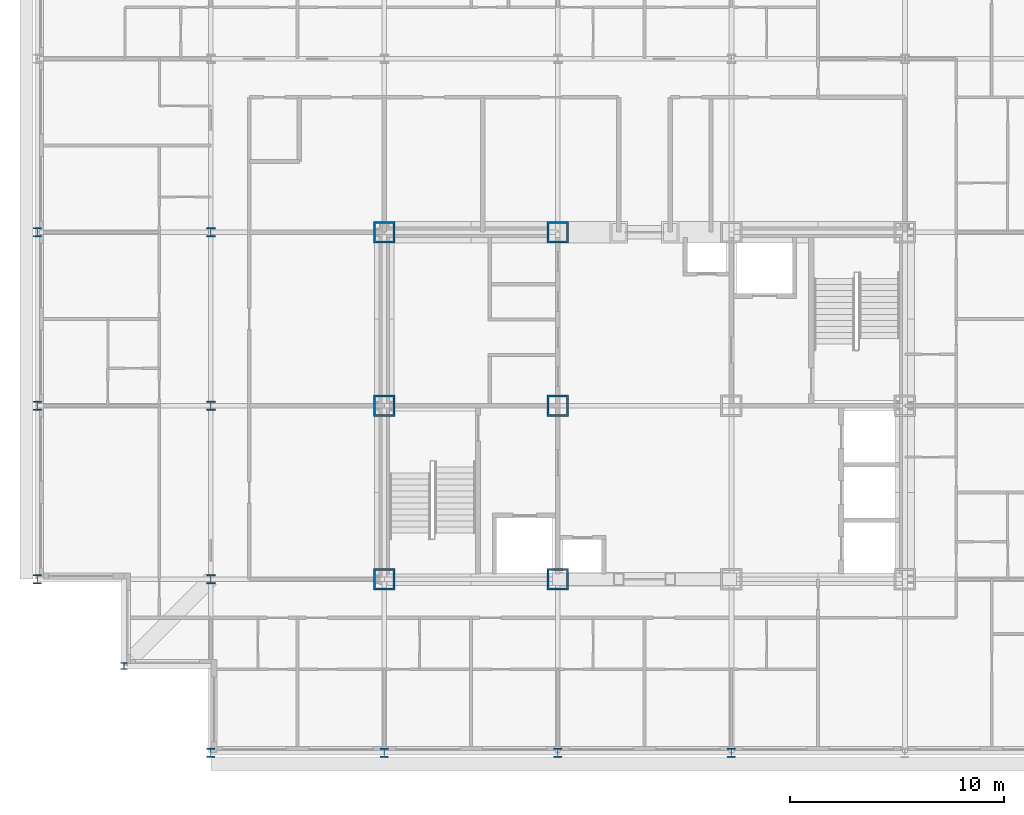
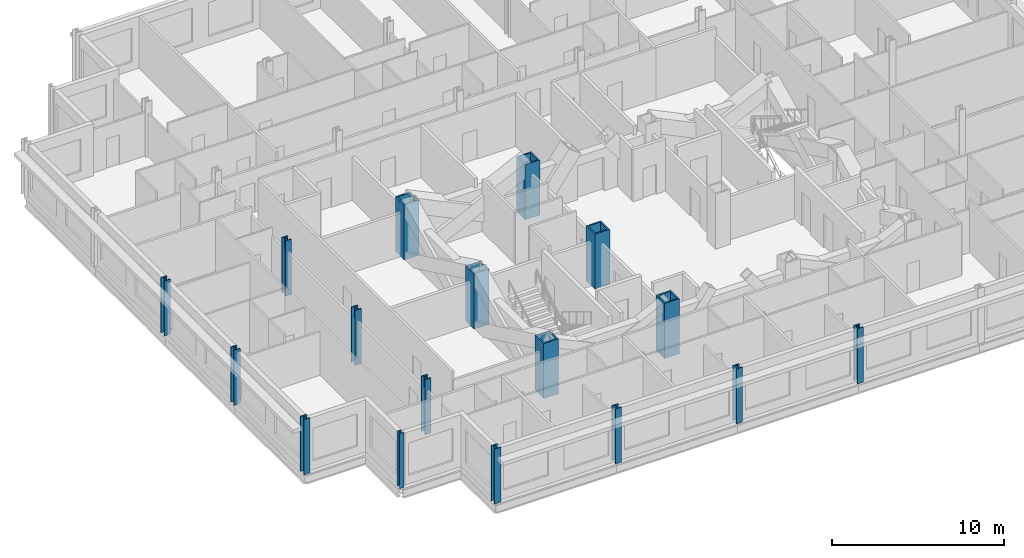
# One storey, part 1 of 16: 17 columns.
"""IFC4 building model written with IfcOpenShell, lengths in metres."""

from ifc_helpers import new_model, si_unit, direction, frame, origin, origin_2d, place, context, subcontext, project, spatial, hollow_rectangle, i_section, extrude, material, material_profile, profile_set, type_object, element, save


model = new_model("IFC4")

# Units and contexts
model_context = context("Model", 3, precision=1e-05, world=origin(), true_north=direction((0.0, 1.0)))
body_context = subcontext(model_context, "Body", "Model", "MODEL_VIEW")
ifc_project = project(units=[si_unit("LENGTHUNIT", "METRE"), si_unit("AREAUNIT", "SQUARE_METRE"), si_unit("VOLUMEUNIT", "CUBIC_METRE"), si_unit("PLANEANGLEUNIT", "RADIAN"), si_unit("MASSUNIT", "GRAM", prefix="KILO")], contexts=[model_context])

# Site, building, storey
site_placement = place(None, origin())
site = spatial("IfcSite", under=ifc_project, at=site_placement, CompositionType="ELEMENT")
building_placement = place(site_placement, origin())
building = spatial("IfcBuilding", under=site, at=building_placement, Name="Kopane Lantern Tower", CompositionType="ELEMENT")
storey_placement = place(building_placement, frame((0.0, 0.0, 265.800048828125)))
storey = spatial("IfcBuildingStorey", under=building, at=storey_placement, Name="L68", CompositionType="ELEMENT", Elevation=265.800048828125)

# Columns
ifc_material_1 = material(Name="Steel S355JR", Category="steel")
ifc_material_profile_1 = material_profile(ifc_material_1, hollow_rectangle(XDim=1.0, YDim=1.0, WallThickness=0.10009765625, at=origin_2d()), Name="BOX 1000x1000x100")
ifc_profile_set_1 = profile_set([ifc_material_profile_1], Name="Steel S355JR")
column_type_1 = type_object("IfcColumnType", Name="COLUMN BOX 1000x1000x100", PredefinedType="COLUMN", material=ifc_profile_set_1)
for number, where, z_axis, x_axis, name in (
    (1, (16.199951171875, 24.300048828125, 0.0), (0.0, 0.0, 1.0), (1.0, 0.0, 0.0), "Column 4/E L68"),
    (2, (16.199951171875, 32.39990234375, 0.0), (0.0, 0.0, 1.0), (1.0, 0.0, 0.0), "Column 4/F L68"),
    (3, (16.199951171875, 40.5, 0.0), (0.0, 0.0, 1.0), (1.0, 0.0, 0.0), "Column 4/G L68"),
    (4, (24.300048828125, 24.300048828125, 0.0), (0.0, 0.0, 1.0), (1.0, 0.0, 0.0), "Column 5/E L68"),
    (5, (24.300048828125, 32.39990234375, 0.0), (0.0, 0.0, 1.0), (1.0, 0.0, 0.0), "Column 5/F L68"),
    (6, (24.300048828125, 40.5, 0.0), (0.0, 0.0, 1.0), (1.0, 0.0, 0.0), "Column 5/G L68"),
):
    element("IfcColumn", number, at=place(storey_placement, frame(where, z_axis=z_axis, x_axis=x_axis)), inside=storey, type_object=column_type_1, Name=name, PredefinedType="COLUMN", context=body_context, shape_type="SweptSolid", body=[
        extrude(hollow_rectangle(XDim=1.0, YDim=1.0, WallThickness=0.10009765625, at=origin_2d()), origin(), (0.0, 0.0, 1.0), 3.89990234375),
    ])
ifc_material_2 = material(Name="Steel S355JR", Category="steel")
ifc_material_profile_2 = material_profile(ifc_material_2, i_section(OverallWidth=0.307373046875, OverallDepth=0.314453125, WebThickness=0.011962890625, FlangeThickness=0.018798828125, FilletRadius=0.01513671875, at=origin_2d()), Name="UC 305x305x118")
ifc_profile_set_2 = profile_set([ifc_material_profile_2], Name="Steel S355JR")
column_type_2 = type_object("IfcColumnType", Name="COLUMN UC 305x305x118", PredefinedType="COLUMN", material=ifc_profile_set_2)
column_placement = place(storey_placement, frame((4.050048828125, 20.25, 0.0), z_axis=(0.0, 0.0, 1.0), x_axis=(1.0, 0.0, 0.0)))
element("IfcColumn", 7, at=column_placement, inside=storey, type_object=column_type_2, Name="Column 4.05/20.25 L68", PredefinedType="COLUMN", context=body_context, shape_type="SweptSolid", body=[
    extrude(i_section(OverallWidth=0.307373046875, OverallDepth=0.314453125, WebThickness=0.011962890625, FlangeThickness=0.018798828125, FilletRadius=0.01513671875, at=origin_2d()), origin(), (0.0, 0.0, 1.0), 3.89990234375),
])
ifc_material_3 = material(Name="Steel S355JR", Category="steel")
ifc_material_profile_3 = material_profile(ifc_material_3, i_section(OverallWidth=0.412109375, OverallDepth=0.4365234375, WebThickness=0.035888671875, FlangeThickness=0.05810546875, FilletRadius=0.01513671875, at=origin_2d()), Name="UC 356x406x467")
ifc_profile_set_3 = profile_set([ifc_material_profile_3], Name="Steel S355JR")
column_type_3 = type_object("IfcColumnType", Name="COLUMN UC 356x406x467", PredefinedType="COLUMN", material=ifc_profile_set_3)
for number, where, z_axis, x_axis, name in (
    (8, (0.0, 24.300048828125, 0.0), (0.0, 0.0, 1.0), (1.0, 0.0, 0.0), "Column 2/E L68"),
    (9, (0.0, 32.39990234375, 0.0), (0.0, 0.0, 1.0), (1.0, 0.0, 0.0), "Column 2/F L68"),
    (10, (0.0, 40.5, 0.0), (0.0, 0.0, 1.0), (1.0, 0.0, 0.0), "Column 2/G L68"),
    (11, (8.10009765625, 16.199951171875, 0.0), (0.0, 0.0, 1.0), (1.0, 0.0, 0.0), "Column 3/D L68"),
    (12, (16.199951171875, 16.199951171875, 0.0), (0.0, 0.0, 1.0), (1.0, 0.0, 0.0), "Column 4/D L68"),
    (13, (24.300048828125, 16.199951171875, 0.0), (0.0, 0.0, 1.0), (1.0, 0.0, 0.0), "Column 5/D L68"),
    (14, (32.39990234375, 16.199951171875, 0.0), (0.0, 0.0, 1.0), (1.0, 0.0, 0.0), "Column 6/D L68"),
):
    element("IfcColumn", number, at=place(storey_placement, frame(where, z_axis=z_axis, x_axis=x_axis)), inside=storey, type_object=column_type_3, Name=name, PredefinedType="COLUMN", context=body_context, shape_type="SweptSolid", body=[
        extrude(i_section(OverallWidth=0.412109375, OverallDepth=0.4365234375, WebThickness=0.035888671875, FlangeThickness=0.05810546875, FilletRadius=0.01513671875, at=origin_2d()), origin(), (0.0, 0.0, 1.0), 3.89990234375),
    ])
ifc_material_4 = material(Name="Steel S355JR", Category="steel")
ifc_material_profile_4 = material_profile(ifc_material_4, i_section(OverallWidth=0.41845703125, OverallDepth=0.45556640625, WebThickness=0.0419921875, FlangeThickness=0.0673828125, FilletRadius=0.01513671875, at=origin_2d()), Name="UC 356x406x551")
ifc_profile_set_4 = profile_set([ifc_material_profile_4], Name="Steel S355JR")
column_type_4 = type_object("IfcColumnType", Name="COLUMN UC 356x406x551", PredefinedType="COLUMN", material=ifc_profile_set_4)
for number, where, z_axis, x_axis, name in (
    (15, (8.10009765625, 24.300048828125, 0.0), (0.0, 0.0, 1.0), (1.0, 0.0, 0.0), "Column 3/E L68"),
    (16, (8.10009765625, 32.39990234375, 0.0), (0.0, 0.0, 1.0), (1.0, 0.0, 0.0), "Column 3/F L68"),
    (17, (8.10009765625, 40.5, 0.0), (0.0, 0.0, 1.0), (1.0, 0.0, 0.0), "Column 3/G L68"),
):
    element("IfcColumn", number, at=place(storey_placement, frame(where, z_axis=z_axis, x_axis=x_axis)), inside=storey, type_object=column_type_4, Name=name, PredefinedType="COLUMN", context=body_context, shape_type="SweptSolid", body=[
        extrude(i_section(OverallWidth=0.41845703125, OverallDepth=0.45556640625, WebThickness=0.0419921875, FlangeThickness=0.0673828125, FilletRadius=0.01513671875, at=origin_2d()), origin(), (0.0, 0.0, 1.0), 3.89990234375),
    ])

save(model, "model.ifc")
